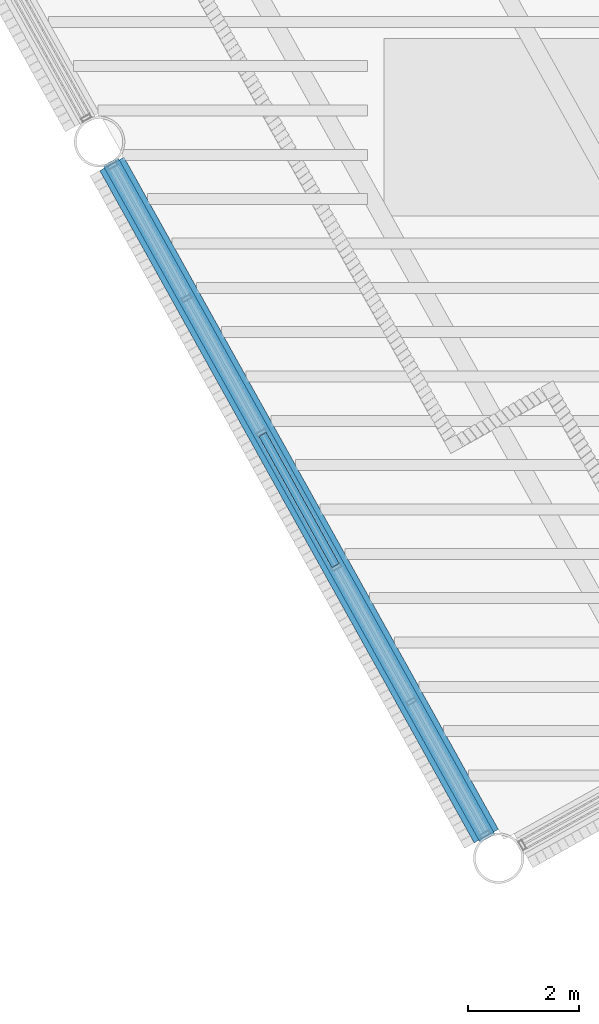
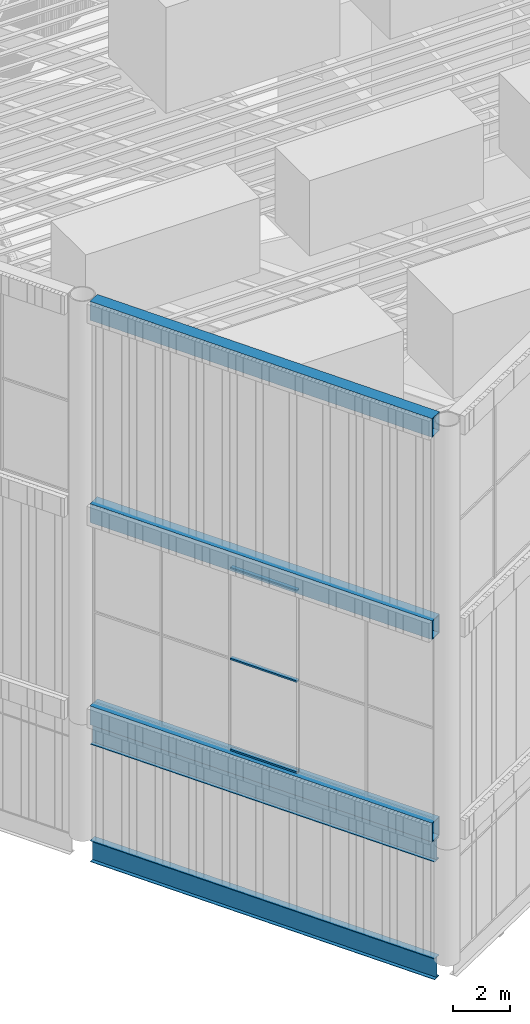
# One storey, part 5 of 117: 5 beams, 3 members, 1 element without a shape of its own.
"""IFC4 building model written with IfcOpenShell, lengths in metres."""

import ifcopenshell
import ifcopenshell.guid

model = None  # the IFC model being written
_history = None  # IfcOwnerHistory: only IFC2X3 demands one
_inside = {}  # id of a spatial element -> (the spatial element, [elements in it])
_under = {}  # id of a project, library or spatial element -> (it, [spatial elements below it])
_declared = {}  # id of a project -> (the project, [libraries it declares])
_typed = {}  # id of a type object -> (the type object, [elements of that type])
_made_of = {}  # id of a material, layer set ... -> (it, [elements and type objects made of it])


def new_model(schema):
    """Start an empty IFC model of exactly this schema.

    Asked for "IFC4X3", IfcOpenShell would pick the latest addendum, in which some entities
    have other attributes; the version numbers below select the first issue.
    IFC2X3 requires an IfcOwnerHistory on every rooted entity: one is made here for all.
    """
    global model, _history
    if schema == "IFC4X3":
        model = ifcopenshell.file(schema_version=(4, 3, 0, 0))
    else:
        model = ifcopenshell.file(schema=schema)
    _inside.clear()
    _under.clear()
    _declared.clear()
    _typed.clear()
    _made_of.clear()
    _history = None
    if model.schema == "IFC2X3":
        org = make("IfcOrganization", Name="unknown")
        user = make(
            "IfcPersonAndOrganization",
            ThePerson=make("IfcPerson", FamilyName="unknown"),
            TheOrganization=org,
        )
        app = make(
            "IfcApplication",
            ApplicationDeveloper=org,
            Version="unknown",
            ApplicationFullName="unknown",
            ApplicationIdentifier="unknown",
        )
        _history = make(
            "IfcOwnerHistory",
            OwningUser=user,
            OwningApplication=app,
            ChangeAction="ADDED",
            CreationDate=0,
        )
    return model


def make(cls, **values):
    """One entity of the class cls with the attributes given. An attribute that is None is left unset."""
    return model.create_entity(
        cls, **{name: value for name, value in values.items() if value is not None}
    )


def rooted(cls, **values):
    """An entity with a GlobalId (a new one), such as an element, a storey or a relation."""
    return make(cls, GlobalId=ifcopenshell.guid.new(), OwnerHistory=_history, **values)


def si_unit(unit_type, name, prefix=None):
    """IfcSIUnit, for example si_unit("LENGTHUNIT", "METRE", prefix="MILLI")."""
    return make("IfcSIUnit", UnitType=unit_type, Prefix=prefix, Name=name)


def assignment(units):
    """IfcUnitAssignment: the units of a project."""
    return None if units is None else make("IfcUnitAssignment", Units=units)


def point(xyz):
    """IfcCartesianPoint."""
    return None if xyz is None else make("IfcCartesianPoint", Coordinates=xyz)


def direction(xyz):
    """IfcDirection."""
    return None if xyz is None else make("IfcDirection", DirectionRatios=xyz)


def frame(location, z_axis=None, x_axis=None):
    """IfcAxis2Placement3D, a coordinate frame: its origin and axes. An axis left out is left unset."""
    return make(
        "IfcAxis2Placement3D",
        Location=point(location),
        Axis=direction(z_axis),
        RefDirection=direction(x_axis),
    )


def frame_2d(location, x_axis=None):
    """IfcAxis2Placement2D, a coordinate frame in the plane: its origin and x axis."""
    return make(
        "IfcAxis2Placement2D", Location=point(location), RefDirection=direction(x_axis)
    )


def origin():
    """The frame at (0, 0, 0) with its axes left unset."""
    return frame((0.0, 0.0, 0.0))


def origin_2d():
    """The frame at (0, 0) in the plane with its x axis left unset."""
    return frame_2d((0.0, 0.0))


def place(relative_to, where):
    """IfcLocalPlacement: puts the frame where relative to a parent placement (None: the world)."""
    return make(
        "IfcLocalPlacement", PlacementRelTo=relative_to, RelativePlacement=where
    )


def context(
    kind, dimensions, precision=None, world=None, true_north=None, identifier=None
):
    """IfcGeometricRepresentationContext, for example the 3D "Model" context."""
    return make(
        "IfcGeometricRepresentationContext",
        ContextIdentifier=identifier,
        ContextType=kind,
        CoordinateSpaceDimension=dimensions,
        Precision=precision,
        WorldCoordinateSystem=world,
        TrueNorth=true_north,
    )


def subcontext(parent, identifier, kind, view, scale=None):
    """IfcGeometricRepresentationSubContext, for example "Body" below "Model"."""
    return make(
        "IfcGeometricRepresentationSubContext",
        ContextIdentifier=identifier,
        ContextType=kind,
        ParentContext=parent,
        TargetScale=scale,
        TargetView=view,
    )


def project(units=None, contexts=None):
    """IfcProject with its units and contexts."""
    return rooted(
        "IfcProject",
        Name="project",
        RepresentationContexts=contexts,
        UnitsInContext=assignment(units),
    )


def spatial(cls, under=None, at=None, **own):
    """A site, building, storey or space (cls), placed at a placement, below another one or the project."""
    s = rooted(cls, ObjectPlacement=at, **own)
    if under is not None:
        _under.setdefault(under.id(), (under, []))[1].append(s)
    return s


def profile(cls, at=None, kind="AREA", **sizes):
    """A parametric profile (cls). Its sizes go by their IFC names, for example OverallWidth=200.0."""
    return make(cls, ProfileType=kind, Position=at, **sizes)


def hollow_rectangle(**sizes):
    """IfcRectangleHollowProfileDef."""
    return profile("IfcRectangleHollowProfileDef", **sizes)


def i_section(**sizes):
    """IfcIShapeProfileDef."""
    return profile("IfcIShapeProfileDef", **sizes)


def extrude(swept, where, along, depth):
    """IfcExtrudedAreaSolid: the profile swept, set in the frame where, extruded along a direction by depth."""
    return make(
        "IfcExtrudedAreaSolid",
        SweptArea=swept,
        Position=where,
        ExtrudedDirection=direction(along),
        Depth=depth,
    )


def shape(context_of_items, identifier, shape_type, items):
    """IfcShapeRepresentation: the items that make up one representation, for example the "Body"."""
    return make(
        "IfcShapeRepresentation",
        ContextOfItems=context_of_items,
        RepresentationIdentifier=identifier,
        RepresentationType=shape_type,
        Items=items,
    )


def material(Name=None, Category=None):
    """IfcMaterial."""
    return make("IfcMaterial", Name=Name, Category=Category)


def layer(
    of_material, thickness, ventilated=None, Name=None, Category=None, Priority=None
):
    """IfcMaterialLayer: one layer of a wall or slab, of a material (None: an air gap)."""
    return make(
        "IfcMaterialLayer",
        Material=of_material,
        LayerThickness=thickness,
        IsVentilated=ventilated,
        Name=Name,
        Category=Category,
        Priority=Priority,
    )


def layer_set(layers, Name=None):
    """IfcMaterialLayerSet."""
    return make("IfcMaterialLayerSet", MaterialLayers=layers, LayerSetName=Name)


def material_profile(
    of_material, cross_section, Name=None, Category=None, Priority=None
):
    """IfcMaterialProfile: a cross section and its material."""
    return make(
        "IfcMaterialProfile",
        Name=Name,
        Material=of_material,
        Profile=cross_section,
        Priority=Priority,
        Category=Category,
    )


def profile_set(profiles, Name=None, composite=None):
    """IfcMaterialProfileSet."""
    return make(
        "IfcMaterialProfileSet",
        Name=Name,
        MaterialProfiles=profiles,
        CompositeProfile=composite,
    )


def made_of(thing, what):
    """Note that an element or type object is made of a material, layer set ...; save() writes the relation."""
    if what is not None:
        _made_of.setdefault(what.id(), (what, []))[1].append(thing)
    return thing


def type_object(cls, material=None, **own):
    """A type object (cls), such as IfcWallType, which elements share."""
    return made_of(rooted(cls, **own), material)


def element(
    cls,
    number,
    at=None,
    inside=None,
    cuts=None,
    type_object=None,
    material=None,
    context=None,
    identifier="Body",
    shape_type=None,
    held_by="IfcProductDefinitionShape",
    body=None,
    shapes=None,
    **own,
):
    """One element of the class cls, such as IfcWall. Its Tag is "e" and its number.

    at: its placement. inside: the storey or other place that contains it. cuts: it is an
    opening in that element (IfcRelVoidsElement). A single representation is given by context,
    identifier, shape_type and body (its items); several are given by shapes. held_by: the class
    of the entity that holds the representations. save() writes the other relations.
    """
    e = rooted(cls, Tag="e%d" % number, ObjectPlacement=at, **own)
    if body is not None:
        shapes = [shape(context, identifier, shape_type, body)]
    if shapes is not None:
        e.Representation = make(held_by, Representations=shapes)
    if inside is not None:
        _inside.setdefault(inside.id(), (inside, []))[1].append(e)
    if cuts is not None:
        rooted(
            "IfcRelVoidsElement", RelatingBuildingElement=cuts, RelatedOpeningElement=e
        )
    if type_object is not None:
        _typed.setdefault(type_object.id(), (type_object, []))[1].append(e)
    return made_of(e, material)


def aggregate(whole, parts):
    """IfcRelAggregates: a whole, such as a stair, and the parts it consists of."""
    return rooted("IfcRelAggregates", RelatingObject=whole, RelatedObjects=parts)


def save(model, path):
    """Write the relations noted so far, then the file.

    IfcRelAggregates (storeys below a building ...), IfcRelContainedInSpatialStructure (elements
    in a storey), IfcRelDefinesByType, IfcRelAssociatesMaterial and IfcRelDeclares: one each for
    every whole, place, type object, material and project.
    """
    for whole, parts in _under.values():
        aggregate(whole, parts)
    for where, things in _inside.values():
        rooted(
            "IfcRelContainedInSpatialStructure",
            RelatedElements=things,
            RelatingStructure=where,
        )
    for kind, things in _typed.values():
        rooted("IfcRelDefinesByType", RelatedObjects=things, RelatingType=kind)
    for what, things in _made_of.values():
        rooted("IfcRelAssociatesMaterial", RelatedObjects=things, RelatingMaterial=what)
    for by, libraries in _declared.values():
        rooted("IfcRelDeclares", RelatingContext=by, RelatedDefinitions=libraries)
    model.write(path)


model = new_model("IFC4")

# Units and contexts
model_context = context("Model", 3, precision=1e-05, world=origin(), true_north=direction((0.0, 1.0)))
body_context = subcontext(model_context, "Body", "Model", "MODEL_VIEW")
ifc_project = project(units=[si_unit("LENGTHUNIT", "METRE"), si_unit("AREAUNIT", "SQUARE_METRE"), si_unit("VOLUMEUNIT", "CUBIC_METRE"), si_unit("PLANEANGLEUNIT", "RADIAN"), si_unit("MASSUNIT", "GRAM", prefix="KILO")], contexts=[model_context])

# Site, building, storey
site_placement = place(None, origin())
site = spatial("IfcSite", under=ifc_project, at=site_placement, CompositionType="ELEMENT")
building_placement = place(site_placement, origin())
building = spatial("IfcBuilding", under=site, at=building_placement, Name="Tarsis Ring Headquarters", CompositionType="ELEMENT")
storey_placement = place(building_placement, frame((0.0, 0.0, 403.60009765625)))
storey = spatial("IfcBuildingStorey", under=building, at=storey_placement, Name="L95", CompositionType="ELEMENT", Elevation=403.60009765625)

# Beams
ifc_material_1 = material(Name="Structural steel S355", Category="steel")
ifc_material_profile_1 = material_profile(ifc_material_1, hollow_rectangle(XDim=0.5, YDim=0.800048828125, WallThickness=0.030029296875, at=origin_2d()), Name="RHS 800x500x30")
ifc_profile_set_1 = profile_set([ifc_material_profile_1], Name="Structural steel S355")
beam_type_1 = type_object("IfcBeamType", Name="Crown frame ring beam RHS 800x500x30", PredefinedType="BEAM", material=ifc_profile_set_1)
for number, where, z_axis, x_axis, name in (
    (1, (-37.167724609375, -21.2275390625, 5.39990234375), (0.486630854342, -0.873607698914, 0.0), (0.873607698914, 0.486630854342, 0.0), "Crown frame ring beam R17"),
    (2, (-37.167724609375, -21.2275390625, 14.0), (0.486630854342, -0.873607698914, 0.0), (0.873607698914, 0.486630854342, 0.0), "Crown frame ring beam M17"),
    (3, (-37.167724609375, -21.2275390625, 22.599853515625), (0.486630854342, -0.873607698914, 0.0), (0.873607698914, 0.486630854342, 0.0), "Crown frame ring beam T17"),
):
    element("IfcBeam", number, at=place(storey_placement, frame(where, z_axis=z_axis, x_axis=x_axis)), inside=storey, type_object=beam_type_1, Name=name, PredefinedType="BEAM", context=body_context, shape_type="SweptSolid", body=[
        extrude(hollow_rectangle(XDim=0.5, YDim=0.800048828125, WallThickness=0.030029296875, at=origin_2d()), origin(), (0.0, 0.0, 1.0), 13.885986328125),
    ])

# Curtain wall, members
ifc_material_2 = material(Name="Aluminium curtain wall", Category="aluminium")
ifc_layer = layer(ifc_material_2, 0.179931640625)
ifc_layer_set = layer_set([ifc_layer], Name="Curtain wall crown glazing")
curtain_wall_type = type_object("IfcCurtainWallType", Name="Curtain wall crown glazing", PredefinedType="NOTDEFINED", material=ifc_layer_set)
curtain_wall_placement = place(storey_placement, origin())
curtain_wall = element("IfcCurtainWall", 4, at=curtain_wall_placement, inside=storey, type_object=curtain_wall_type, Name="Crown glazing L17", PredefinedType="NOTDEFINED")
ifc_material_3 = material(Name="Aluminium transom", Category="aluminium")
ifc_material_profile_2 = material_profile(ifc_material_3, hollow_rectangle(XDim=0.14990234375, YDim=0.070068359375, WallThickness=0.0048828125, at=origin_2d()), Name="RHS 150x70x5")
ifc_profile_set_2 = profile_set([ifc_material_profile_2], Name="Aluminium transom")
member_type = type_object("IfcMemberType", Name="Crown glazing transom RHS 150x70x5", PredefinedType="USERDEFINED", material=ifc_profile_set_2)
member_1_placement = place(storey_placement, frame((-34.44775390625, -26.1103515625, 5.8349609375), z_axis=(0.486630386149, -0.873607959715, 0.0), x_axis=(0.873607959715, 0.486630386149, 0.0)))
member_1 = element("IfcMember", 5, at=member_1_placement, type_object=member_type, Name="CW-C transom 3.1", ObjectType="TRANSOM", PredefinedType="USERDEFINED", context=body_context, shape_type="SweptSolid", body=[
    extrude(hollow_rectangle(XDim=0.14990234375, YDim=0.070068359375, WallThickness=0.0048828125, at=origin_2d()), origin(), (0.0, 0.0, 1.0), 2.70703125),
])
member_2_placement = place(storey_placement, frame((-34.44775390625, -26.1103515625, 9.699951171875), z_axis=(0.486630386149, -0.873607959715, 0.0), x_axis=(0.873607959715, 0.486630386149, 0.0)))
member_2 = element("IfcMember", 6, at=member_2_placement, type_object=member_type, Name="CW-C transom 3.2", ObjectType="TRANSOM", PredefinedType="USERDEFINED", context=body_context, shape_type="SweptSolid", body=[
    extrude(hollow_rectangle(XDim=0.14990234375, YDim=0.070068359375, WallThickness=0.0048828125, at=origin_2d()), origin(), (0.0, 0.0, 1.0), 2.70703125),
])
member_3_placement = place(storey_placement, frame((-34.44775390625, -26.1103515625, 13.56494140625), z_axis=(0.486630386149, -0.873607959715, 0.0), x_axis=(0.873607959715, 0.486630386149, 0.0)))
member_3 = element("IfcMember", 7, at=member_3_placement, type_object=member_type, Name="CW-C transom 3.3", ObjectType="TRANSOM", PredefinedType="USERDEFINED", context=body_context, shape_type="SweptSolid", body=[
    extrude(hollow_rectangle(XDim=0.14990234375, YDim=0.070068359375, WallThickness=0.0048828125, at=origin_2d()), origin(), (0.0, 0.0, 1.0), 2.70703125),
])
aggregate(curtain_wall, [member_1, member_2, member_3])

# Beams
ifc_material_profile_3 = material_profile(ifc_material_1, i_section(OverallWidth=0.3046875, OverallDepth=0.904296875, WebThickness=0.01513671875, FlangeThickness=0.02001953125, at=origin_2d()), Name="W36x135")
ifc_profile_set_3 = profile_set([ifc_material_profile_3], Name="Structural steel S355")
beam_type_2 = type_object("IfcBeamType", Name="XG Ring girder W36x135", PredefinedType="BEAM", material=ifc_profile_set_3)
for number, where, z_axis, x_axis, name in (
    (8, (-37.18994140625, -21.187744140625, -0.4521484375), (0.486643696462, -0.873600545268, 0.0), (0.873600545268, 0.486643696462, 0.0), "Ring girder XG5"),
    (9, (-37.18994140625, -21.187744140625, 4.5478515625), (0.486643696462, -0.873600545268, 0.0), (0.873600545268, 0.486643696462, 0.0), "Ring girder XG5"),
):
    element("IfcBeam", number, at=place(storey_placement, frame(where, z_axis=z_axis, x_axis=x_axis)), inside=storey, type_object=beam_type_2, Name=name, PredefinedType="BEAM", context=body_context, shape_type="SweptSolid", body=[
        extrude(i_section(OverallWidth=0.3046875, OverallDepth=0.904296875, WebThickness=0.01513671875, FlangeThickness=0.02001953125, at=origin_2d()), origin(), (0.0, 0.0, 1.0), 13.976806640625),
    ])

save(model, "model.ifc")
